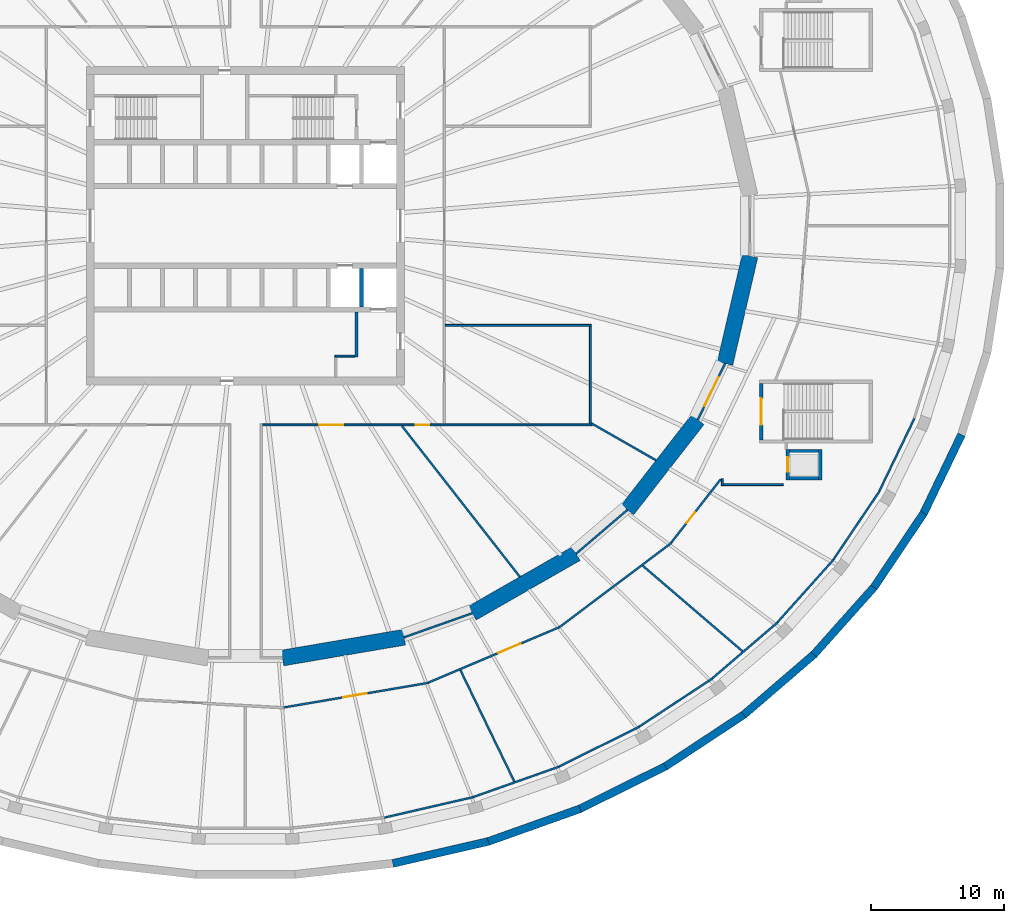
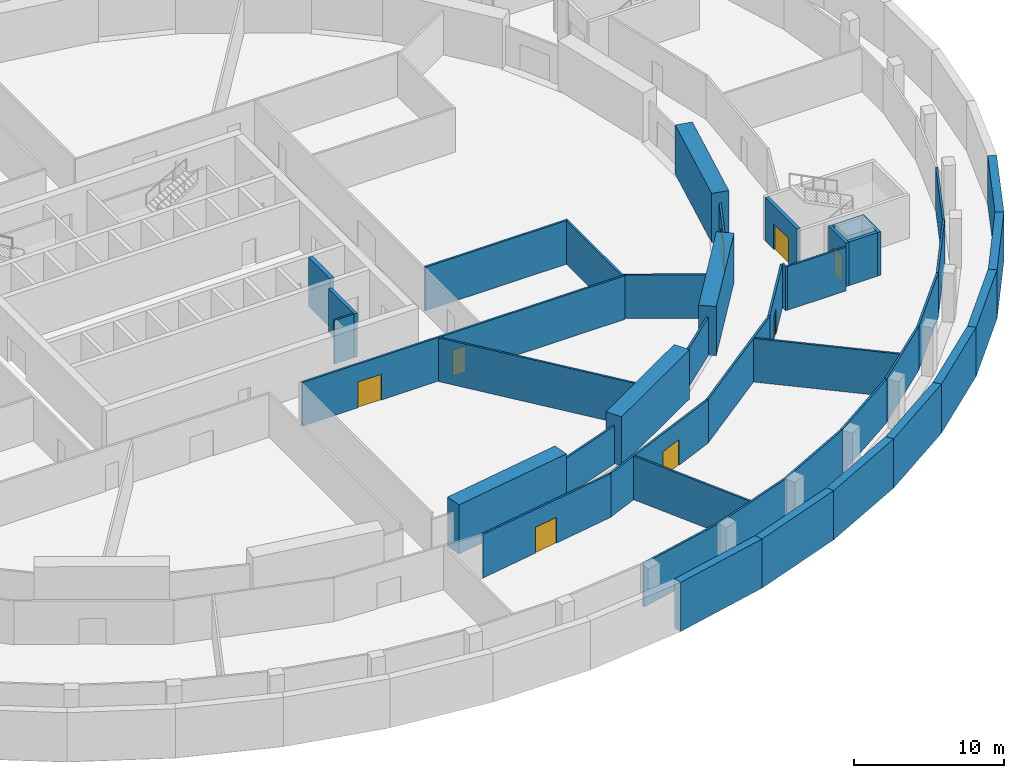
# One storey, part 8 of 14: 44 walls, 8 doors, 8 openings.
"""IFC4 building model written with IfcOpenShell, lengths in metres."""

import ifcopenshell
import ifcopenshell.guid

model = None  # the IFC model being written
_history = None  # IfcOwnerHistory: only IFC2X3 demands one
_inside = {}  # id of a spatial element -> (the spatial element, [elements in it])
_under = {}  # id of a project, library or spatial element -> (it, [spatial elements below it])
_declared = {}  # id of a project -> (the project, [libraries it declares])
_typed = {}  # id of a type object -> (the type object, [elements of that type])
_made_of = {}  # id of a material, layer set ... -> (it, [elements and type objects made of it])


def new_model(schema):
    """Start an empty IFC model of exactly this schema.

    Asked for "IFC4X3", IfcOpenShell would pick the latest addendum, in which some entities
    have other attributes; the version numbers below select the first issue.
    IFC2X3 requires an IfcOwnerHistory on every rooted entity: one is made here for all.
    """
    global model, _history
    if schema == "IFC4X3":
        model = ifcopenshell.file(schema_version=(4, 3, 0, 0))
    else:
        model = ifcopenshell.file(schema=schema)
    _inside.clear()
    _under.clear()
    _declared.clear()
    _typed.clear()
    _made_of.clear()
    _history = None
    if model.schema == "IFC2X3":
        org = make("IfcOrganization", Name="unknown")
        user = make(
            "IfcPersonAndOrganization",
            ThePerson=make("IfcPerson", FamilyName="unknown"),
            TheOrganization=org,
        )
        app = make(
            "IfcApplication",
            ApplicationDeveloper=org,
            Version="unknown",
            ApplicationFullName="unknown",
            ApplicationIdentifier="unknown",
        )
        _history = make(
            "IfcOwnerHistory",
            OwningUser=user,
            OwningApplication=app,
            ChangeAction="ADDED",
            CreationDate=0,
        )
    return model


def make(cls, **values):
    """One entity of the class cls with the attributes given. An attribute that is None is left unset."""
    return model.create_entity(
        cls, **{name: value for name, value in values.items() if value is not None}
    )


def rooted(cls, **values):
    """An entity with a GlobalId (a new one), such as an element, a storey or a relation."""
    return make(cls, GlobalId=ifcopenshell.guid.new(), OwnerHistory=_history, **values)


def si_unit(unit_type, name, prefix=None):
    """IfcSIUnit, for example si_unit("LENGTHUNIT", "METRE", prefix="MILLI")."""
    return make("IfcSIUnit", UnitType=unit_type, Prefix=prefix, Name=name)


def assignment(units):
    """IfcUnitAssignment: the units of a project."""
    return None if units is None else make("IfcUnitAssignment", Units=units)


def point(xyz):
    """IfcCartesianPoint."""
    return None if xyz is None else make("IfcCartesianPoint", Coordinates=xyz)


def direction(xyz):
    """IfcDirection."""
    return None if xyz is None else make("IfcDirection", DirectionRatios=xyz)


def frame(location, z_axis=None, x_axis=None):
    """IfcAxis2Placement3D, a coordinate frame: its origin and axes. An axis left out is left unset."""
    return make(
        "IfcAxis2Placement3D",
        Location=point(location),
        Axis=direction(z_axis),
        RefDirection=direction(x_axis),
    )


def frame_2d(location, x_axis=None):
    """IfcAxis2Placement2D, a coordinate frame in the plane: its origin and x axis."""
    return make(
        "IfcAxis2Placement2D", Location=point(location), RefDirection=direction(x_axis)
    )


def origin():
    """The frame at (0, 0, 0) with its axes left unset."""
    return frame((0.0, 0.0, 0.0))


def place(relative_to, where):
    """IfcLocalPlacement: puts the frame where relative to a parent placement (None: the world)."""
    return make(
        "IfcLocalPlacement", PlacementRelTo=relative_to, RelativePlacement=where
    )


def context(
    kind, dimensions, precision=None, world=None, true_north=None, identifier=None
):
    """IfcGeometricRepresentationContext, for example the 3D "Model" context."""
    return make(
        "IfcGeometricRepresentationContext",
        ContextIdentifier=identifier,
        ContextType=kind,
        CoordinateSpaceDimension=dimensions,
        Precision=precision,
        WorldCoordinateSystem=world,
        TrueNorth=true_north,
    )


def subcontext(parent, identifier, kind, view, scale=None):
    """IfcGeometricRepresentationSubContext, for example "Body" below "Model"."""
    return make(
        "IfcGeometricRepresentationSubContext",
        ContextIdentifier=identifier,
        ContextType=kind,
        ParentContext=parent,
        TargetScale=scale,
        TargetView=view,
    )


def project(units=None, contexts=None):
    """IfcProject with its units and contexts."""
    return rooted(
        "IfcProject",
        Name="project",
        RepresentationContexts=contexts,
        UnitsInContext=assignment(units),
    )


def spatial(cls, under=None, at=None, **own):
    """A site, building, storey or space (cls), placed at a placement, below another one or the project."""
    s = rooted(cls, ObjectPlacement=at, **own)
    if under is not None:
        _under.setdefault(under.id(), (under, []))[1].append(s)
    return s


def polyline(points):
    """IfcPolyline through the points."""
    return make("IfcPolyline", Points=[point(p) for p in points])


def profile(cls, at=None, kind="AREA", **sizes):
    """A parametric profile (cls). Its sizes go by their IFC names, for example OverallWidth=200.0."""
    return make(cls, ProfileType=kind, Position=at, **sizes)


def rectangle(**sizes):
    """IfcRectangleProfileDef."""
    return profile("IfcRectangleProfileDef", **sizes)


def outline(outer, holes=None, kind="AREA"):
    """IfcArbitraryClosedProfileDef: a profile drawn as a closed curve; with holes, ...WithVoids."""
    if holes is None:
        return make("IfcArbitraryClosedProfileDef", ProfileType=kind, OuterCurve=outer)
    return make(
        "IfcArbitraryProfileDefWithVoids",
        ProfileType=kind,
        OuterCurve=outer,
        InnerCurves=holes,
    )


def extrude(swept, where, along, depth):
    """IfcExtrudedAreaSolid: the profile swept, set in the frame where, extruded along a direction by depth."""
    return make(
        "IfcExtrudedAreaSolid",
        SweptArea=swept,
        Position=where,
        ExtrudedDirection=direction(along),
        Depth=depth,
    )


def shape(context_of_items, identifier, shape_type, items):
    """IfcShapeRepresentation: the items that make up one representation, for example the "Body"."""
    return make(
        "IfcShapeRepresentation",
        ContextOfItems=context_of_items,
        RepresentationIdentifier=identifier,
        RepresentationType=shape_type,
        Items=items,
    )


def material(Name=None, Category=None):
    """IfcMaterial."""
    return make("IfcMaterial", Name=Name, Category=Category)


def layer(
    of_material, thickness, ventilated=None, Name=None, Category=None, Priority=None
):
    """IfcMaterialLayer: one layer of a wall or slab, of a material (None: an air gap)."""
    return make(
        "IfcMaterialLayer",
        Material=of_material,
        LayerThickness=thickness,
        IsVentilated=ventilated,
        Name=Name,
        Category=Category,
        Priority=Priority,
    )


def layer_set(layers, Name=None):
    """IfcMaterialLayerSet."""
    return make("IfcMaterialLayerSet", MaterialLayers=layers, LayerSetName=Name)


def made_of(thing, what):
    """Note that an element or type object is made of a material, layer set ...; save() writes the relation."""
    if what is not None:
        _made_of.setdefault(what.id(), (what, []))[1].append(thing)
    return thing


def type_object(cls, material=None, **own):
    """A type object (cls), such as IfcWallType, which elements share."""
    return made_of(rooted(cls, **own), material)


def element(
    cls,
    number,
    at=None,
    inside=None,
    cuts=None,
    type_object=None,
    material=None,
    context=None,
    identifier="Body",
    shape_type=None,
    held_by="IfcProductDefinitionShape",
    body=None,
    shapes=None,
    **own,
):
    """One element of the class cls, such as IfcWall. Its Tag is "e" and its number.

    at: its placement. inside: the storey or other place that contains it. cuts: it is an
    opening in that element (IfcRelVoidsElement). A single representation is given by context,
    identifier, shape_type and body (its items); several are given by shapes. held_by: the class
    of the entity that holds the representations. save() writes the other relations.
    """
    e = rooted(cls, Tag="e%d" % number, ObjectPlacement=at, **own)
    if body is not None:
        shapes = [shape(context, identifier, shape_type, body)]
    if shapes is not None:
        e.Representation = make(held_by, Representations=shapes)
    if inside is not None:
        _inside.setdefault(inside.id(), (inside, []))[1].append(e)
    if cuts is not None:
        rooted(
            "IfcRelVoidsElement", RelatingBuildingElement=cuts, RelatedOpeningElement=e
        )
    if type_object is not None:
        _typed.setdefault(type_object.id(), (type_object, []))[1].append(e)
    return made_of(e, material)


def fill(opening, filler):
    """IfcRelFillsElement: the door or window that sits in an opening."""
    return rooted(
        "IfcRelFillsElement",
        RelatingOpeningElement=opening,
        RelatedBuildingElement=filler,
    )


def aggregate(whole, parts):
    """IfcRelAggregates: a whole, such as a stair, and the parts it consists of."""
    return rooted("IfcRelAggregates", RelatingObject=whole, RelatedObjects=parts)


def save(model, path):
    """Write the relations noted so far, then the file.

    IfcRelAggregates (storeys below a building ...), IfcRelContainedInSpatialStructure (elements
    in a storey), IfcRelDefinesByType, IfcRelAssociatesMaterial and IfcRelDeclares: one each for
    every whole, place, type object, material and project.
    """
    for whole, parts in _under.values():
        aggregate(whole, parts)
    for where, things in _inside.values():
        rooted(
            "IfcRelContainedInSpatialStructure",
            RelatedElements=things,
            RelatingStructure=where,
        )
    for kind, things in _typed.values():
        rooted("IfcRelDefinesByType", RelatedObjects=things, RelatingType=kind)
    for what, things in _made_of.values():
        rooted("IfcRelAssociatesMaterial", RelatedObjects=things, RelatingMaterial=what)
    for by, libraries in _declared.values():
        rooted("IfcRelDeclares", RelatingContext=by, RelatedDefinitions=libraries)
    model.write(path)


model = new_model("IFC4")

# Units and contexts
model_context = context("Model", 3, precision=1e-05, world=origin(), true_north=direction((0.0, 1.0)))
body_context = subcontext(model_context, "Body", "Model", "MODEL_VIEW")
ifc_project = project(units=[si_unit("LENGTHUNIT", "METRE"), si_unit("AREAUNIT", "SQUARE_METRE"), si_unit("VOLUMEUNIT", "CUBIC_METRE"), si_unit("PLANEANGLEUNIT", "RADIAN"), si_unit("MASSUNIT", "GRAM", prefix="KILO")], contexts=[model_context])

# Site, building, storey
site_placement = place(None, origin())
site = spatial("IfcSite", under=ifc_project, at=site_placement, CompositionType="ELEMENT")
building_placement = place(site_placement, origin())
building = spatial("IfcBuilding", under=site, at=building_placement, Name="Halqa Exchange Tower", CompositionType="ELEMENT")
storey_placement = place(building_placement, frame((0.0, 0.0, -4.0)))
storey = spatial("IfcBuildingStorey", under=building, at=storey_placement, Name="B1", CompositionType="ELEMENT", Elevation=-4.0)

# Wall, openings, doors
ifc_material_1 = material(Name="Fire-rated gypsum board")
ifc_layer_1 = layer(ifc_material_1, 0.14990234375)
ifc_layer_set_1 = layer_set([ifc_layer_1], Name="Fire-rated gypsum board")
wall_type_1 = type_object("IfcWallType", Name="Fire partition EI 60 150", PredefinedType="PARTITIONING", material=ifc_layer_set_1)
wall_1_placement = place(storey_placement, frame((1.27490234375, -15.0, 0.0), z_axis=(0.0, 0.0, 1.0), x_axis=(1.0, 0.0, 0.0)))
wall_1 = element("IfcWall", 1, at=wall_1_placement, inside=storey, type_object=wall_type_1, Name="B1-PWL-079", PredefinedType="PARTITIONING", context=body_context, shape_type="SweptSolid", body=[
    extrude(rectangle(XDim=24.85498046875, YDim=0.14990234375, at=frame_2d((12.427490234375, 0.0))), origin(), (0.0, 0.0, 1.0), 3.550048828125),
])
opening_1_placement = place(wall_1_placement, frame((4.2939453125, 0.0, 0.0)))
opening_1 = element("IfcOpeningElement", 2, at=opening_1_placement, cuts=wall_1, Name="Opening B1-05", PredefinedType="OPENING", context=body_context, shape_type="SweptSolid", body=[
    extrude(rectangle(XDim=1.800048828125, YDim=2.10009765625, at=frame_2d((0.89990234375, 1.050048828125))), frame((0.0, 0.0869140625, 0.0), z_axis=(0.0, -1.0, 0.0), x_axis=(1.0, 0.0, 0.0)), (0.0, 0.0, 1.0), 0.173828125),
])
opening_2_placement = place(wall_1_placement, frame((11.574951171875, 0.0, 0.0)))
opening_2 = element("IfcOpeningElement", 3, at=opening_2_placement, cuts=wall_1, Name="Opening B1-06", PredefinedType="OPENING", context=body_context, shape_type="SweptSolid", body=[
    extrude(rectangle(XDim=1.0, YDim=2.10009765625, at=frame_2d((0.5, 1.050048828125))), frame((0.0, 0.0869140625, 0.0), z_axis=(0.0, -1.0, 0.0), x_axis=(1.0, 0.0, 0.0)), (0.0, 0.0, 1.0), 0.173828125),
])
ifc_material_2 = material(Name="Steel fire door leaf", Category="steel")
door_type_1 = type_object("IfcDoorType", Name="Fire door FD30S 1000 x 2100", OperationType="SINGLE_SWING_LEFT", PredefinedType="DOOR", material=ifc_material_2)
door_1_placement = place(opening_2_placement, origin())
door_1 = element("IfcDoor", 4, at=door_1_placement, inside=storey, type_object=door_type_1, Name="B1-IDR-006", OperationType="SINGLE_SWING_LEFT", OverallHeight=2.10009765625, OverallWidth=1.0, PredefinedType="DOOR", context=body_context, shape_type="SweptSolid", body=[
    extrude(rectangle(XDim=1.0, YDim=2.10009765625, at=frame_2d((0.5, 1.050048828125))), frame((0.0, 0.02490234375, 0.0), z_axis=(0.0, -1.0, 0.0), x_axis=(1.0, 0.0, 0.0)), (0.0, 0.0, 1.0), 0.050048828125),
])
fill(opening_2, door_1)
door_type_2 = type_object("IfcDoorType", Name="Fire door FD30S double 1800 x 2100", OperationType="DOUBLE_DOOR_SINGLE_SWING", PredefinedType="DOOR", material=ifc_material_2)
door_2_placement = place(opening_1_placement, origin())
door_2 = element("IfcDoor", 5, at=door_2_placement, inside=storey, type_object=door_type_2, Name="B1-IDR-005", OperationType="DOUBLE_DOOR_SINGLE_SWING", OverallHeight=2.10009765625, OverallWidth=1.800048828125, PredefinedType="DOOR", context=body_context, shape_type="SweptSolid", body=[
    extrude(rectangle(XDim=1.800048828125, YDim=2.10009765625, at=frame_2d((0.89990234375, 1.050048828125))), frame((0.0, 0.02490234375, 0.0), z_axis=(0.0, -1.0, 0.0), x_axis=(1.0, 0.0, 0.0)), (0.0, 0.0, 1.0), 0.050048828125),
])
fill(opening_1, door_2)

# Walls
wall_2_placement = place(storey_placement, frame((11.7880859375, -15.074462890625, 0.0), z_axis=(0.0, 0.0, 1.0), x_axis=(0.615848120598, -0.787864894735, 0.0)))
element("IfcWall", 6, at=wall_2_placement, inside=storey, type_object=wall_type_1, Name="B1-PWL-087", PredefinedType="PARTITIONING", context=body_context, shape_type="SweptSolid", body=[
    extrude(outline(polyline([(0.0, -0.074951171875), (14.427734375, -0.074951171875), (14.44921875, 0.074951171875), (0.0, 0.074951171875), (0.0, -0.074951171875)])), origin(), (0.0, 0.0, 1.0), 3.550048828125),
])
wall_3_placement = place(storey_placement, frame((11.966796875, -31.01123046875, 0.0), z_axis=(0.0, 0.0, 1.0), x_axis=(0.942814385805, 0.333318217204, 0.0)))
element("IfcWall", 7, at=wall_3_placement, inside=storey, type_object=wall_type_1, Name="B1-PWL-089", PredefinedType="PARTITIONING", context=body_context, shape_type="SweptSolid", body=[
    extrude(outline(polyline([(-0.012939453125, -0.074951171875), (5.448486328125, -0.074951171875), (5.421142578125, 0.074951171875), (0.012939453125, 0.074951171875), (-0.012939453125, -0.074951171875)])), origin(), (0.0, 0.0, 1.0), 3.10009765625),
])

# Wall, opening, door
wall_4_placement = place(storey_placement, frame((13.80712890625, -34.443603515625, 0.0), z_axis=(0.0, 0.0, 1.0), x_axis=(-0.985802701022, -0.167907815955, 0.0)))
wall_4 = element("IfcWall", 8, at=wall_4_placement, inside=storey, type_object=wall_type_1, Name="B1-PWL-090", PredefinedType="PARTITIONING", context=body_context, shape_type="SweptSolid", body=[
    extrude(rectangle(XDim=11.07666015625, YDim=0.14990234375, at=frame_2d((5.538330078125, 0.0))), origin(), (0.0, 0.0, 1.0), 3.550048828125),
])
opening_3_placement = place(wall_4_placement, frame((4.737060546875, 0.0, 0.0)))
opening_3 = element("IfcOpeningElement", 9, at=opening_3_placement, cuts=wall_4, Name="Opening B1-33", PredefinedType="OPENING", context=body_context, shape_type="SweptSolid", body=[
    extrude(rectangle(XDim=1.800048828125, YDim=2.10009765625, at=frame_2d((0.89990234375, 1.050048828125))), frame((0.0, 0.0869140625, 0.0), z_axis=(0.0, -1.0, 0.0), x_axis=(1.0, 0.0, 0.0)), (0.0, 0.0, 1.0), 0.173828125),
])
door_3_placement = place(opening_3_placement, origin())
door_3 = element("IfcDoor", 10, at=door_3_placement, inside=storey, type_object=door_type_2, Name="B1-IDR-033", OperationType="DOUBLE_DOOR_SINGLE_SWING", OverallHeight=2.10009765625, OverallWidth=1.800048828125, PredefinedType="DOOR", context=body_context, shape_type="SweptSolid", body=[
    extrude(rectangle(XDim=1.800048828125, YDim=2.10009765625, at=frame_2d((0.89990234375, 1.050048828125))), frame((0.0, 0.02490234375, 0.0), z_axis=(0.0, -1.0, 0.0), x_axis=(1.0, 0.0, 0.0)), (0.0, 0.0, 1.0), 0.050048828125),
])
fill(opening_3, door_3)

wall_5_placement = place(storey_placement, frame((13.802490234375, -34.4208984375, 0.0), z_axis=(0.0, 0.0, 1.0), x_axis=(0.921072890143, 0.389390204094, 0.0)))
wall_5 = element("IfcWall", 11, at=wall_5_placement, inside=storey, type_object=wall_type_1, Name="B1-PWL-091", PredefinedType="PARTITIONING", context=body_context, shape_type="SweptSolid", body=[
    extrude(rectangle(XDim=10.745849609375, YDim=0.14990234375, at=frame_2d((5.373046875, 0.0))), origin(), (0.0, 0.0, 1.0), 3.550048828125),
])
opening_4_placement = place(wall_5_placement, frame((5.733154296875, 0.0, 0.0)))
opening_4 = element("IfcOpeningElement", 12, at=opening_4_placement, cuts=wall_5, Name="Opening B1-34", PredefinedType="OPENING", context=body_context, shape_type="SweptSolid", body=[
    extrude(rectangle(XDim=1.800048828125, YDim=2.10009765625, at=frame_2d((0.89990234375, 1.050048828125))), frame((0.0, 0.0869140625, 0.0), z_axis=(0.0, -1.0, 0.0), x_axis=(1.0, 0.0, 0.0)), (0.0, 0.0, 1.0), 0.173828125),
])
door_4_placement = place(opening_4_placement, frame((1.800048828125, 0.0, 0.0), z_axis=(0.0, 0.0, 1.0), x_axis=(-1.0, 0.0, 0.0)))
door_4 = element("IfcDoor", 13, at=door_4_placement, inside=storey, type_object=door_type_2, Name="B1-IDR-034", OperationType="DOUBLE_DOOR_SINGLE_SWING", OverallHeight=2.10009765625, OverallWidth=1.800048828125, PredefinedType="DOOR", context=body_context, shape_type="SweptSolid", body=[
    extrude(rectangle(XDim=1.800048828125, YDim=2.10009765625, at=frame_2d((0.89990234375, 1.050048828125))), frame((0.0, 0.02490234375, 0.0), z_axis=(0.0, -1.0, 0.0), x_axis=(1.0, 0.0, 0.0)), (0.0, 0.0, 1.0), 0.050048828125),
])
fill(opening_4, door_4)

# Walls
wall_6_placement = place(storey_placement, frame((15.074951171875, -7.5, 0.0), z_axis=(0.0, 0.0, 1.0), x_axis=(1.0, 0.0, 0.0)))
element("IfcWall", 14, at=wall_6_placement, inside=storey, type_object=wall_type_1, Name="B1-PWL-093", PredefinedType="PARTITIONING", context=body_context, shape_type="SweptSolid", body=[
    extrude(rectangle(XDim=11.0, YDim=0.14990234375, at=frame_2d((5.5, 0.0))), origin(), (0.0, 0.0, 1.0), 3.550048828125),
])
wall_7_placement = place(storey_placement, frame((16.202392578125, -33.487060546875, 0.0), z_axis=(0.0, 0.0, 1.0), x_axis=(0.435783992342, -0.900051282994, 0.0)))
element("IfcWall", 15, at=wall_7_placement, inside=storey, type_object=wall_type_1, Name="B1-PWL-094", PredefinedType="PARTITIONING", context=body_context, shape_type="SweptSolid", body=[
    extrude(outline(polyline([(-0.00390625, -0.074951171875), (9.3173828125, -0.074951171875), (9.333984375, 0.074951171875), (0.00390625, 0.074951171875), (-0.00390625, -0.074951171875)])), origin(), (0.0, 0.0, 1.0), 3.550048828125),
])
wall_8_placement = place(storey_placement, frame((17.21337890625, -43.05078125, 0.0), z_axis=(0.0, 0.0, 1.0), x_axis=(-0.974487031509, -0.224443813504, 0.0)))
element("IfcWall", 16, at=wall_8_placement, inside=storey, type_object=wall_type_1, Name="B1-PWL-097", PredefinedType="PARTITIONING", context=body_context, shape_type="SweptSolid", body=[
    extrude(rectangle(XDim=6.90625, YDim=0.14990234375, at=frame_2d((3.453125, 0.0))), origin(), (0.0, 0.0, 1.0), 3.550048828125),
])
wall_9_placement = place(storey_placement, frame((17.210693359375, -43.04150390625, 0.0), z_axis=(0.0, 0.0, 1.0), x_axis=(0.94266330093, 0.333745263757, 0.0)))
element("IfcWall", 17, at=wall_9_placement, inside=storey, type_object=wall_type_1, Name="B1-PWL-098", PredefinedType="PARTITIONING", context=body_context, shape_type="SweptSolid", body=[
    extrude(rectangle(XDim=6.83154296875, YDim=0.14990234375, at=frame_2d((3.415771484375, 0.0))), origin(), (0.0, 0.0, 1.0), 3.550048828125),
])
wall_10_placement = place(storey_placement, frame((23.696044921875, -30.22802734375, 0.0), z_axis=(0.0, 0.0, 1.0), x_axis=(0.799195100787, 0.601071701944, 0.0)))
element("IfcWall", 18, at=wall_10_placement, inside=storey, type_object=wall_type_1, Name="B1-PWL-102", PredefinedType="PARTITIONING", context=body_context, shape_type="SweptSolid", body=[
    extrude(rectangle(XDim=10.528564453125, YDim=0.14990234375, at=frame_2d((5.26416015625, 0.0))), origin(), (0.0, 0.0, 1.0), 3.550048828125),
])
wall_11_placement = place(storey_placement, frame((24.931884765625, -24.70849609375, 0.0), z_axis=(0.0, 0.0, 1.0), x_axis=(0.760084552743, 0.649824185978, 0.0)))
element("IfcWall", 19, at=wall_11_placement, inside=storey, type_object=wall_type_1, Name="B1-PWL-103", PredefinedType="PARTITIONING", context=body_context, shape_type="SweptSolid", body=[
    extrude(outline(polyline([(-0.01416015625, -0.074951171875), (5.09033203125, -0.074951171875), (5.0595703125, 0.074951171875), (0.01416015625, 0.074951171875), (-0.01416015625, -0.074951171875)])), origin(), (0.0, 0.0, 1.0), 3.10009765625),
])
wall_12_placement = place(storey_placement, frame((26.0, -14.925048828125, 0.0), z_axis=(0.0, 0.0, 1.0), x_axis=(0.0, 1.0, 0.0)))
element("IfcWall", 20, at=wall_12_placement, inside=storey, type_object=wall_type_1, Name="B1-PWL-104", PredefinedType="PARTITIONING", context=body_context, shape_type="SweptSolid", body=[
    extrude(rectangle(XDim=7.35107421875, YDim=0.14990234375, at=frame_2d((3.675537109375, 0.0))), origin(), (0.0, 0.0, 1.0), 3.550048828125),
])
wall_13_placement = place(storey_placement, frame((26.07421875, -14.88232421875, 0.0), z_axis=(0.0, 0.0, 1.0), x_axis=(0.868133416031, -0.496330909746, 0.0)))
element("IfcWall", 21, at=wall_13_placement, inside=storey, type_object=wall_type_1, Name="B1-PWL-105", PredefinedType="PARTITIONING", context=body_context, shape_type="SweptSolid", body=[
    extrude(outline(polyline([(0.0, -0.074951171875), (5.604248046875, -0.074951171875), (5.625732421875, 0.074951171875), (0.0, 0.074951171875), (0.0, -0.074951171875)])), origin(), (0.0, 0.0, 1.0), 3.550048828125),
])
wall_14_placement = place(storey_placement, frame((29.676513671875, -37.761962890625, 0.0), z_axis=(0.0, 0.0, 1.0), x_axis=(-0.895909442692, -0.444236727991, 0.0)))
element("IfcWall", 22, at=wall_14_placement, inside=storey, type_object=wall_type_1, Name="B1-PWL-111", PredefinedType="PARTITIONING", context=body_context, shape_type="SweptSolid", body=[
    extrude(rectangle(XDim=6.730712890625, YDim=0.14990234375, at=frame_2d((3.365234375, 0.0))), origin(), (0.0, 0.0, 1.0), 3.550048828125),
])
wall_15_placement = place(storey_placement, frame((29.947265625, -25.619140625, 0.0), z_axis=(0.0, 0.0, 1.0), x_axis=(0.759265306208, -0.650781218836, 0.0)))
element("IfcWall", 23, at=wall_15_placement, inside=storey, type_object=wall_type_1, Name="B1-PWL-113", PredefinedType="PARTITIONING", context=body_context, shape_type="SweptSolid", body=[
    extrude(outline(polyline([(-0.0166015625, -0.074951171875), (9.888427734375, -0.074951171875), (9.911376953125, 0.074951171875), (0.0166015625, 0.074951171875), (-0.0166015625, -0.074951171875)])), origin(), (0.0, 0.0, 1.0), 3.550048828125),
])

# Wall, opening, door
wall_16_placement = place(storey_placement, frame((32.09375, -23.87841796875, 0.0), z_axis=(0.0, 0.0, 1.0), x_axis=(0.615450256232, 0.788175730472, 0.0)))
wall_16 = element("IfcWall", 24, at=wall_16_placement, inside=storey, type_object=wall_type_1, Name="B1-PWL-115", PredefinedType="PARTITIONING", context=body_context, shape_type="SweptSolid", body=[
    extrude(outline(polyline([(0.0, -0.074951171875), (6.097412109375, -0.074951171875), (6.030029296875, 0.074951171875), (0.0, 0.074951171875), (0.0, -0.074951171875)])), origin(), (0.0, 0.0, 1.0), 3.550048828125),
])
opening_5_placement = place(wall_16_placement, frame((1.886962890625, 0.0, 0.0)))
opening_5 = element("IfcOpeningElement", 25, at=opening_5_placement, cuts=wall_16, Name="Opening B1-35", PredefinedType="OPENING", context=body_context, shape_type="SweptSolid", body=[
    extrude(rectangle(XDim=1.0, YDim=2.10009765625, at=frame_2d((0.5, 1.050048828125))), frame((0.0, 0.0869140625, 0.0), z_axis=(0.0, -1.0, 0.0), x_axis=(1.0, 0.0, 0.0)), (0.0, 0.0, 1.0), 0.173828125),
])
door_5_placement = place(opening_5_placement, origin())
door_5 = element("IfcDoor", 26, at=door_5_placement, inside=storey, type_object=door_type_1, Name="B1-IDR-035", OperationType="SINGLE_SWING_RIGHT", OverallHeight=2.10009765625, OverallWidth=1.0, PredefinedType="DOOR", context=body_context, shape_type="SweptSolid", body=[
    extrude(rectangle(XDim=1.0, YDim=2.10009765625, at=frame_2d((0.5, 1.050048828125))), frame((0.0, 0.02490234375, 0.0), z_axis=(0.0, -1.0, 0.0), x_axis=(1.0, 0.0, 0.0)), (0.0, 0.0, 1.0), 0.050048828125),
])
fill(opening_5, door_5)

# Walls
wall_17_placement = place(storey_placement, frame((35.19140625, -34.123046875, 0.0), z_axis=(0.0, 0.0, 1.0), x_axis=(-0.83553583791, -0.549435950378, 0.0)))
element("IfcWall", 27, at=wall_17_placement, inside=storey, type_object=wall_type_1, Name="B1-PWL-117", PredefinedType="PARTITIONING", context=body_context, shape_type="SweptSolid", body=[
    extrude(rectangle(XDim=6.6064453125, YDim=0.14990234375, at=frame_2d((3.30322265625, 0.0))), origin(), (0.0, 0.0, 1.0), 3.550048828125),
])
wall_18_placement = place(storey_placement, frame((35.184814453125, -34.1142578125, 0.0), z_axis=(0.0, 0.0, 1.0), x_axis=(0.759033312601, 0.651051787773, 0.0)))
element("IfcWall", 28, at=wall_18_placement, inside=storey, type_object=wall_type_1, Name="B1-PWL-118", PredefinedType="PARTITIONING", context=body_context, shape_type="SweptSolid", body=[
    extrude(rectangle(XDim=6.484375, YDim=0.14990234375, at=frame_2d((3.2421875, 0.0))), origin(), (0.0, 0.0, 1.0), 3.550048828125),
])
wall_19_placement = place(storey_placement, frame((35.949951171875, -19.574951171875, 0.0), z_axis=(0.0, 0.0, 1.0), x_axis=(0.0, 1.0, 0.0)))
element("IfcWall", 29, at=wall_19_placement, inside=storey, type_object=wall_type_1, Name="B1-PWL-121", PredefinedType="PARTITIONING", context=body_context, shape_type="SweptSolid", body=[
    extrude(rectangle(XDim=0.513916015625, YDim=0.14990234375, at=frame_2d((0.2568359375, 0.0))), origin(), (0.0, 0.0, 1.0), 3.550048828125),
])

# Wall, opening, door
wall_20_placement = place(storey_placement, frame((36.14990234375, -10.3798828125, 0.0), z_axis=(0.0, 0.0, 1.0), x_axis=(-0.436102687495, -0.899896908518, 0.0)))
wall_20 = element("IfcWall", 30, at=wall_20_placement, inside=storey, type_object=wall_type_1, Name="B1-PWL-123", PredefinedType="PARTITIONING", context=body_context, shape_type="SweptSolid", body=[
    extrude(outline(polyline([(0.01708984375, -0.074951171875), (4.68310546875, -0.074951171875), (4.71533203125, 0.074951171875), (-0.01708984375, 0.074951171875), (0.01708984375, -0.074951171875)])), origin(), (0.0, 0.0, 1.0), 3.10009765625),
])
opening_6_placement = place(wall_20_placement, frame((1.150390625, 0.0, 0.0)))
opening_6 = element("IfcOpeningElement", 31, at=opening_6_placement, cuts=wall_20, Name="Opening B1-15", PredefinedType="OPENING", context=body_context, shape_type="SweptSolid", body=[
    extrude(rectangle(XDim=2.39990234375, YDim=2.10009765625, at=frame_2d((1.199951171875, 1.050048828125))), frame((0.0, 0.0869140625, 0.0), z_axis=(0.0, -1.0, 0.0), x_axis=(1.0, 0.0, 0.0)), (0.0, 0.0, 1.0), 0.173828125),
])
door_type_3 = type_object("IfcDoorType", Name="Fire door FD60S double 2400 x 2100", OperationType="DOUBLE_DOOR_SINGLE_SWING", PredefinedType="DOOR", material=ifc_material_2)
door_6_placement = place(opening_6_placement, origin())
door_6 = element("IfcDoor", 32, at=door_6_placement, inside=storey, type_object=door_type_3, Name="B1-IDR-015", OperationType="DOUBLE_DOOR_SINGLE_SWING", OverallHeight=2.10009765625, OverallWidth=2.39990234375, PredefinedType="DOOR", context=body_context, shape_type="SweptSolid", body=[
    extrude(rectangle(XDim=2.39990234375, YDim=2.10009765625, at=frame_2d((1.199951171875, 1.050048828125))), frame((0.0, 0.02490234375, 0.0), z_axis=(0.0, -1.0, 0.0), x_axis=(1.0, 0.0, 0.0)), (0.0, 0.0, 1.0), 0.050048828125),
])
fill(opening_6, door_6)

# Walls
wall_21_placement = place(storey_placement, frame((40.52490234375, -19.5, 0.0), z_axis=(0.0, 0.0, 1.0), x_axis=(-1.0, 0.0, 0.0)))
element("IfcWall", 33, at=wall_21_placement, inside=storey, type_object=wall_type_1, Name="B1-PWL-129", PredefinedType="PARTITIONING", context=body_context, shape_type="SweptSolid", body=[
    extrude(rectangle(XDim=4.5, YDim=0.14990234375, at=frame_2d((2.25, 0.0))), origin(), (0.0, 0.0, 1.0), 3.550048828125),
])
wall_22_placement = place(storey_placement, frame((44.32861328125, -25.16455078125, 0.0), z_axis=(0.0, 0.0, 1.0), x_axis=(-0.6673947824, -0.744704105283, 0.0)))
element("IfcWall", 34, at=wall_22_placement, inside=storey, type_object=wall_type_1, Name="B1-PWL-133", PredefinedType="PARTITIONING", context=body_context, shape_type="SweptSolid", body=[
    extrude(rectangle(XDim=6.338134765625, YDim=0.14990234375, at=frame_2d((3.1689453125, 0.0))), origin(), (0.0, 0.0, 1.0), 3.550048828125),
])
wall_23_placement = place(storey_placement, frame((47.789306640625, -20.007080078125, 0.0), z_axis=(0.0, 0.0, 1.0), x_axis=(-0.558812320082, -0.829294152231, 0.0)))
element("IfcWall", 35, at=wall_23_placement, inside=storey, type_object=wall_type_1, Name="B1-PWL-135", PredefinedType="PARTITIONING", context=body_context, shape_type="SweptSolid", body=[
    extrude(rectangle(XDim=6.2099609375, YDim=0.14990234375, at=frame_2d((3.10498046875, 0.0))), origin(), (0.0, 0.0, 1.0), 3.550048828125),
])
wall_24_placement = place(storey_placement, frame((50.42822265625, -14.5107421875, 0.0), z_axis=(0.0, 0.0, 1.0), x_axis=(-0.434690826011, -0.900579749818, 0.0)))
element("IfcWall", 36, at=wall_24_placement, inside=storey, type_object=wall_type_1, Name="B1-PWL-137", PredefinedType="PARTITIONING", context=body_context, shape_type="SweptSolid", body=[
    extrude(rectangle(XDim=6.095947265625, YDim=0.14990234375, at=frame_2d((3.0478515625, 0.0))), origin(), (0.0, 0.0, 1.0), 3.550048828125),
])
ifc_material_3 = material(Name="Gypsum board")
ifc_layer_2 = layer(ifc_material_3, 0.14990234375)
ifc_layer_set_2 = layer_set([ifc_layer_2], Name="Gypsum board")
wall_type_2 = type_object("IfcWallType", Name="Penthouse riser wall 150 gypsum", PredefinedType="PARTITIONING", material=ifc_layer_set_2)
wall_25_placement = place(storey_placement, frame((6.75, -9.824951171875, 0.0), z_axis=(0.0, 0.0, 1.0), x_axis=(1.0, 0.0, 0.0)))
element("IfcWall", 37, at=wall_25_placement, inside=storey, type_object=wall_type_2, Name="Firefighting lobby return wall S", PredefinedType="PARTITIONING", context=body_context, shape_type="SweptSolid", body=[
    extrude(rectangle(XDim=1.5, YDim=0.14990234375, at=frame_2d((0.75, 0.0))), origin(), (0.0, 0.0, 1.0), 3.550048828125),
])

# Wall, opening, door
ifc_layer_3 = layer(ifc_material_3, 0.25)
ifc_layer_set_3 = layer_set([ifc_layer_3], Name="Gypsum board")
wall_type_3 = type_object("IfcWallType", Name="Penthouse riser wall 250 gypsum", PredefinedType="PARTITIONING", material=ifc_layer_set_3)
wall_26_placement = place(storey_placement, frame((40.875, -19.14990234375, 0.0), z_axis=(0.0, 0.0, 1.0), x_axis=(0.0, 1.0, 0.0)))
wall_26 = element("IfcWall", 38, at=wall_26_placement, inside=storey, type_object=wall_type_3, Name="Station lift AL2 wall west", PredefinedType="PARTITIONING", context=body_context, shape_type="SweptSolid", body=[
    extrude(rectangle(XDim=2.2998046875, YDim=0.25, at=frame_2d((1.14990234375, 0.0))), origin(), (0.0, 0.0, 1.0), 3.550048828125),
])
opening_7_placement = place(wall_26_placement, frame((0.60009765625, 0.0, 0.0)))
opening_7 = element("IfcOpeningElement", 39, at=opening_7_placement, cuts=wall_26, Name="Opening LD-AL2-B1", PredefinedType="OPENING", context=body_context, shape_type="SweptSolid", body=[
    extrude(rectangle(XDim=1.10009765625, YDim=2.10009765625, at=frame_2d((0.550048828125, 1.050048828125))), frame((0.0, 0.136962890625, 0.0), z_axis=(0.0, -1.0, 0.0), x_axis=(1.0, 0.0, 0.0)), (0.0, 0.0, 1.0), 0.27392578125),
])
ifc_material_4 = material(Name="Stainless steel", Category="steel")
door_type_4 = type_object("IfcDoorType", Name="Lift landing door 1100 x 2100", OperationType="SLIDING_TO_LEFT", PredefinedType="DOOR", material=ifc_material_4)
door_7_placement = place(opening_7_placement, origin())
door_7 = element("IfcDoor", 40, at=door_7_placement, inside=storey, type_object=door_type_4, Name="Lift landing door AL2", OperationType="SLIDING_TO_LEFT", OverallHeight=2.10009765625, OverallWidth=1.10009765625, PredefinedType="DOOR", context=body_context, shape_type="SweptSolid", body=[
    extrude(rectangle(XDim=1.10009765625, YDim=2.10009765625, at=frame_2d((0.550048828125, 1.050048828125))), frame((0.0, 0.02490234375, 0.0), z_axis=(0.0, -1.0, 0.0), x_axis=(1.0, 0.0, 0.0)), (0.0, 0.0, 1.0), 0.050048828125),
])
fill(opening_7, door_7)

# Walls
wall_27_placement = place(storey_placement, frame((43.324951171875, -19.14990234375, 0.0), z_axis=(0.0, 0.0, 1.0), x_axis=(0.0, 1.0, 0.0)))
element("IfcWall", 41, at=wall_27_placement, inside=storey, type_object=wall_type_3, Name="Station lift AL2 wall east", PredefinedType="PARTITIONING", context=body_context, shape_type="SweptSolid", body=[
    extrude(rectangle(XDim=2.2998046875, YDim=0.25, at=frame_2d((1.14990234375, 0.0))), origin(), (0.0, 0.0, 1.0), 3.550048828125),
])
for number, where, z_axis, x_axis, name in (
    (42, (41.0, -16.97509765625, 0.0), (0.0, 0.0, 1.0), (1.0, 0.0, 0.0), "Station lift AL2 wall north"),
    (43, (41.0, -19.02490234375, 0.0), (0.0, 0.0, 1.0), (1.0, 0.0, 0.0), "Station lift AL2 wall south"),
):
    element("IfcWall", number, at=place(storey_placement, frame(where, z_axis=z_axis, x_axis=x_axis)), inside=storey, type_object=wall_type_3, Name=name, PredefinedType="PARTITIONING", context=body_context, shape_type="SweptSolid", body=[
        extrude(rectangle(XDim=2.199951171875, YDim=0.25, at=frame_2d((1.10009765625, 0.0))), origin(), (0.0, 0.0, 1.0), 3.550048828125),
    ])
ifc_material_5 = material(Name="Concrete C40/50", Category="concrete")
ifc_layer_4 = layer(ifc_material_5, 0.60009765625)
ifc_layer_set_4 = layer_set([ifc_layer_4], Name="Concrete C40/50")
wall_type_4 = type_object("IfcWallType", Name="RC basement wall 600", PredefinedType="SOLIDWALL", material=ifc_layer_set_4)
wall_28_placement = place(storey_placement, frame((11.103515625, -48.062255859375, 0.0), z_axis=(0.0, 0.0, 1.0), x_axis=(0.974485322097, 0.224451235276, 0.0)))
element("IfcWall", 44, at=wall_28_placement, inside=storey, type_object=wall_type_4, Name="Basement retaining wall", PredefinedType="SOLIDWALL", context=body_context, shape_type="SweptSolid", body=[
    extrude(rectangle(XDim=7.4248046875, YDim=0.60009765625, at=frame_2d((3.71240234375, 0.0))), origin(), (0.0, 0.0, 1.0), 4.0),
])
wall_29_placement = place(storey_placement, frame((18.3056640625, -46.405517578125, 0.0), z_axis=(0.0, 0.0, 1.0), x_axis=(0.942060991409, 0.33544163198, 0.0)))
element("IfcWall", 45, at=wall_29_placement, inside=storey, type_object=wall_type_4, Name="Basement retaining wall", PredefinedType="SOLIDWALL", context=body_context, shape_type="SweptSolid", body=[
    extrude(rectangle(XDim=7.347412109375, YDim=0.60009765625, at=frame_2d((3.673828125, 0.0))), origin(), (0.0, 0.0, 1.0), 4.0),
])
wall_30_placement = place(storey_placement, frame((25.194580078125, -43.95458984375, 0.0), z_axis=(0.0, 0.0, 1.0), x_axis=(0.895750986496, 0.44455614965, 0.0)))
element("IfcWall", 46, at=wall_30_placement, inside=storey, type_object=wall_type_4, Name="Basement retaining wall", PredefinedType="SOLIDWALL", context=body_context, shape_type="SweptSolid", body=[
    extrude(rectangle(XDim=7.244873046875, YDim=0.60009765625, at=frame_2d((3.62255859375, 0.0))), origin(), (0.0, 0.0, 1.0), 4.0),
])
wall_31_placement = place(storey_placement, frame((31.652099609375, -40.752197265625, 0.0), z_axis=(0.0, 0.0, 1.0), x_axis=(0.834745196239, 0.550636411215, 0.0)))
element("IfcWall", 47, at=wall_31_placement, inside=storey, type_object=wall_type_4, Name="Basement retaining wall", PredefinedType="SOLIDWALL", context=body_context, shape_type="SweptSolid", body=[
    extrude(rectangle(XDim=7.123779296875, YDim=0.60009765625, at=frame_2d((3.56201171875, 0.0))), origin(), (0.0, 0.0, 1.0), 4.0),
])
wall_32_placement = place(storey_placement, frame((37.568115234375, -36.8525390625, 0.0), z_axis=(0.0, 0.0, 1.0), x_axis=(0.758319142722, 0.65188348482, 0.0)))
element("IfcWall", 48, at=wall_32_placement, inside=storey, type_object=wall_type_4, Name="Basement retaining wall", PredefinedType="SOLIDWALL", context=body_context, shape_type="SweptSolid", body=[
    extrude(rectangle(XDim=6.991455078125, YDim=0.60009765625, at=frame_2d((3.49560546875, 0.0))), origin(), (0.0, 0.0, 1.0), 4.0),
])
wall_33_placement = place(storey_placement, frame((42.841796875, -32.32275390625, 0.0), z_axis=(0.0, 0.0, 1.0), x_axis=(0.665894053378, 0.74604631872, 0.0)))
element("IfcWall", 49, at=wall_33_placement, inside=storey, type_object=wall_type_4, Name="Basement retaining wall", PredefinedType="SOLIDWALL", context=body_context, shape_type="SweptSolid", body=[
    extrude(rectangle(XDim=6.8564453125, YDim=0.60009765625, at=frame_2d((3.42822265625, 0.0))), origin(), (0.0, 0.0, 1.0), 4.0),
])
wall_34_placement = place(storey_placement, frame((47.38232421875, -27.239990234375, 0.0), z_axis=(0.0, 0.0, 1.0), x_axis=(0.557518861869, 0.830164272093, 0.0)))
element("IfcWall", 50, at=wall_34_placement, inside=storey, type_object=wall_type_4, Name="Basement retaining wall", PredefinedType="SOLIDWALL", context=body_context, shape_type="SweptSolid", body=[
    extrude(rectangle(XDim=6.728515625, YDim=0.60009765625, at=frame_2d((3.3642578125, 0.0))), origin(), (0.0, 0.0, 1.0), 4.0),
])
wall_35_placement = place(storey_placement, frame((51.1123046875, -21.69140625, 0.0), z_axis=(0.0, 0.0, 1.0), x_axis=(0.434104041315, 0.900862742772, 0.0)))
element("IfcWall", 51, at=wall_35_placement, inside=storey, type_object=wall_type_4, Name="Basement retaining wall", PredefinedType="SOLIDWALL", context=body_context, shape_type="SweptSolid", body=[
    extrude(rectangle(XDim=6.61669921875, YDim=0.60009765625, at=frame_2d((3.308349609375, 0.0))), origin(), (0.0, 0.0, 1.0), 4.0),
])
ifc_material_6 = material(Name="Concrete C60/75", Category="concrete")
ifc_layer_5 = layer(ifc_material_6, 0.300048828125)
ifc_layer_set_5 = layer_set([ifc_layer_5], Name="Concrete C60/75")
wall_type_5 = type_object("IfcWallType", Name="RC core wall 300", PredefinedType="SHEAR", material=ifc_layer_set_5)
wall_36_placement = place(storey_placement, frame((8.75, -6.10009765625, 0.0), z_axis=(0.0, 0.0, 1.0), x_axis=(0.0, 1.0, 0.0)))
element("IfcWall", 52, at=wall_36_placement, inside=storey, type_object=wall_type_5, Name="Shaft divider S8", PredefinedType="SHEAR", context=body_context, shape_type="SweptSolid", body=[
    extrude(rectangle(XDim=2.900146484375, YDim=0.300048828125, at=frame_2d((1.4501953125, 0.0))), origin(), (0.0, 0.0, 1.0), 4.0),
])
ifc_material_7 = material(Name="Concrete C80/95", Category="concrete")
ifc_layer_6 = layer(ifc_material_7, 1.199951171875)
ifc_layer_set_6 = layer_set([ifc_layer_6], Name="Concrete C80/95")
wall_type_6 = type_object("IfcWallType", Name="RC ring pier 1200 C80/95", PredefinedType="SHEAR", material=ifc_layer_set_6)
wall_37_placement = place(storey_placement, frame((2.7880859375, -32.57421875, 0.0), z_axis=(0.0, 0.0, 1.0), x_axis=(0.985776286846, 0.168062822456, 0.0)))
element("IfcWall", 53, at=wall_37_placement, inside=storey, type_object=wall_type_6, Name="Ring pier 13", PredefinedType="SHEAR", context=body_context, shape_type="SweptSolid", body=[
    extrude(rectangle(XDim=9.3115234375, YDim=1.199951171875, at=frame_2d((4.65576171875, 0.0))), origin(), (0.0, 0.0, 1.0), 4.0),
])
wall_38_placement = place(storey_placement, frame((17.088623046875, -29.197509765625, 0.0), z_axis=(0.0, 0.0, 1.0), x_axis=(0.867760656864, 0.496982336103, 0.0)))
element("IfcWall", 54, at=wall_38_placement, inside=storey, type_object=wall_type_6, Name="Ring pier 14", PredefinedType="SHEAR", context=body_context, shape_type="SweptSolid", body=[
    extrude(rectangle(XDim=9.037841796875, YDim=1.199951171875, at=frame_2d((4.51904296875, 0.0))), origin(), (0.0, 0.0, 1.0), 4.0),
])
wall_39_placement = place(storey_placement, frame((28.790283203125, -21.412353515625, 0.0), z_axis=(0.0, 0.0, 1.0), x_axis=(0.614825322247, 0.788663314174, 0.0)))
element("IfcWall", 55, at=wall_39_placement, inside=storey, type_object=wall_type_6, Name="Ring pier 15", PredefinedType="SHEAR", context=body_context, shape_type="SweptSolid", body=[
    extrude(rectangle(XDim=8.631591796875, YDim=1.199951171875, at=frame_2d((4.31591796875, 0.0))), origin(), (0.0, 0.0, 1.0), 4.0),
])
wall_40_placement = place(storey_placement, frame((36.14892578125, -10.38037109375, 0.0), z_axis=(0.0, 0.0, 1.0), x_axis=(0.226058185805, 0.974113800657, 0.0)))
element("IfcWall", 56, at=wall_40_placement, inside=storey, type_object=wall_type_6, Name="Ring pier 16", PredefinedType="SHEAR", context=body_context, shape_type="SweptSolid", body=[
    extrude(rectangle(XDim=8.328857421875, YDim=1.199951171875, at=frame_2d((4.16455078125, 0.0))), origin(), (0.0, 0.0, 1.0), 4.0),
])
ifc_material_8 = material(Name="Concrete C30/37", Category="concrete")
ifc_layer_7 = layer(ifc_material_8, 0.25)
ifc_layer_set_7 = layer_set([ifc_layer_7], Name="Concrete C30/37")
wall_type_7 = type_object("IfcWallType", Name="RC stair wall 250 C30/37", PredefinedType="SHEAR", material=ifc_layer_set_7)
wall_41_placement = place(storey_placement, frame((8.375, -9.89990234375, 0.0), z_axis=(0.0, 0.0, 1.0), x_axis=(0.0, 1.0, 0.0)))
element("IfcWall", 57, at=wall_41_placement, inside=storey, type_object=wall_type_7, Name="Stair ST2 east wall S", PredefinedType="SHEAR", context=body_context, shape_type="SweptSolid", body=[
    extrude(rectangle(XDim=3.39990234375, YDim=0.25, at=frame_2d((1.699951171875, 0.0))), origin(), (0.0, 0.0, 1.0), 3.550048828125),
])

# Wall, opening, door
wall_42_placement = place(storey_placement, frame((38.875, -16.125, 0.0), z_axis=(0.0, 0.0, 1.0), x_axis=(0.0, 1.0, 0.0)))
wall_42 = element("IfcWall", 58, at=wall_42_placement, inside=storey, type_object=wall_type_7, Name="Stair SS2 wall west", PredefinedType="SHEAR", context=body_context, shape_type="SweptSolid", body=[
    extrude(rectangle(XDim=4.25, YDim=0.25, at=frame_2d((2.125, 0.0))), origin(), (0.0, 0.0, 1.0), 3.550048828125),
])
opening_8_placement = place(wall_42_placement, frame((1.125, 0.0, 0.0)))
opening_8 = element("IfcOpeningElement", 59, at=opening_8_placement, cuts=wall_42, Name="Opening B1-C12", PredefinedType="OPENING", context=body_context, shape_type="SweptSolid", body=[
    extrude(rectangle(XDim=2.0, YDim=2.10009765625, at=frame_2d((1.0, 1.050048828125))), frame((0.0, 0.136962890625, 0.0), z_axis=(0.0, -1.0, 0.0), x_axis=(1.0, 0.0, 0.0)), (0.0, 0.0, 1.0), 0.27392578125),
])
door_type_5 = type_object("IfcDoorType", Name="Station stair double door FD90 2000 x 2100", OperationType="DOUBLE_DOOR_SINGLE_SWING", PredefinedType="DOOR", material=ifc_material_2)
door_8_placement = place(opening_8_placement, frame((2.0, 0.0, 0.0), z_axis=(0.0, 0.0, 1.0), x_axis=(-1.0, 0.0, 0.0)))
door_8 = element("IfcDoor", 60, at=door_8_placement, inside=storey, type_object=door_type_5, Name="Core room door", OperationType="DOUBLE_DOOR_SINGLE_SWING", OverallHeight=2.10009765625, OverallWidth=2.0, PredefinedType="DOOR", context=body_context, shape_type="SweptSolid", body=[
    extrude(rectangle(XDim=2.0, YDim=2.10009765625, at=frame_2d((1.0, 1.050048828125))), frame((0.0, 0.02490234375, 0.0), z_axis=(0.0, -1.0, 0.0), x_axis=(1.0, 0.0, 0.0)), (0.0, 0.0, 1.0), 0.050048828125),
])
fill(opening_8, door_8)

save(model, "model.ifc")
